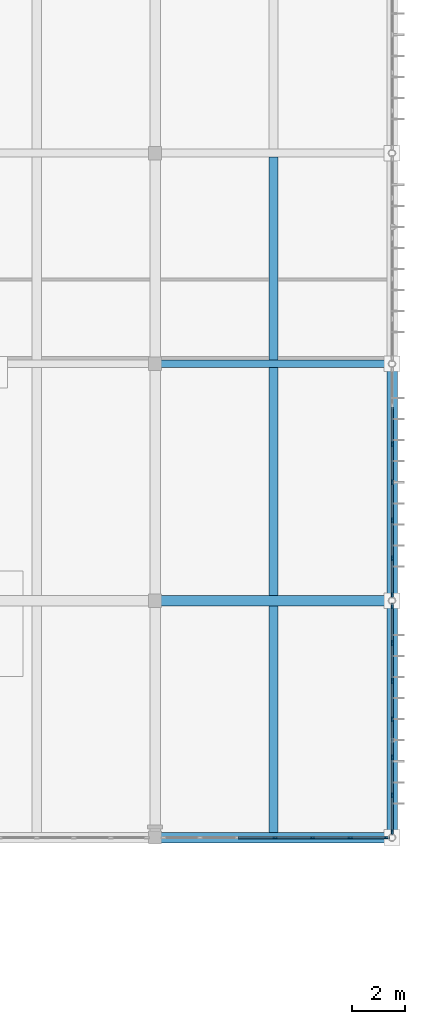
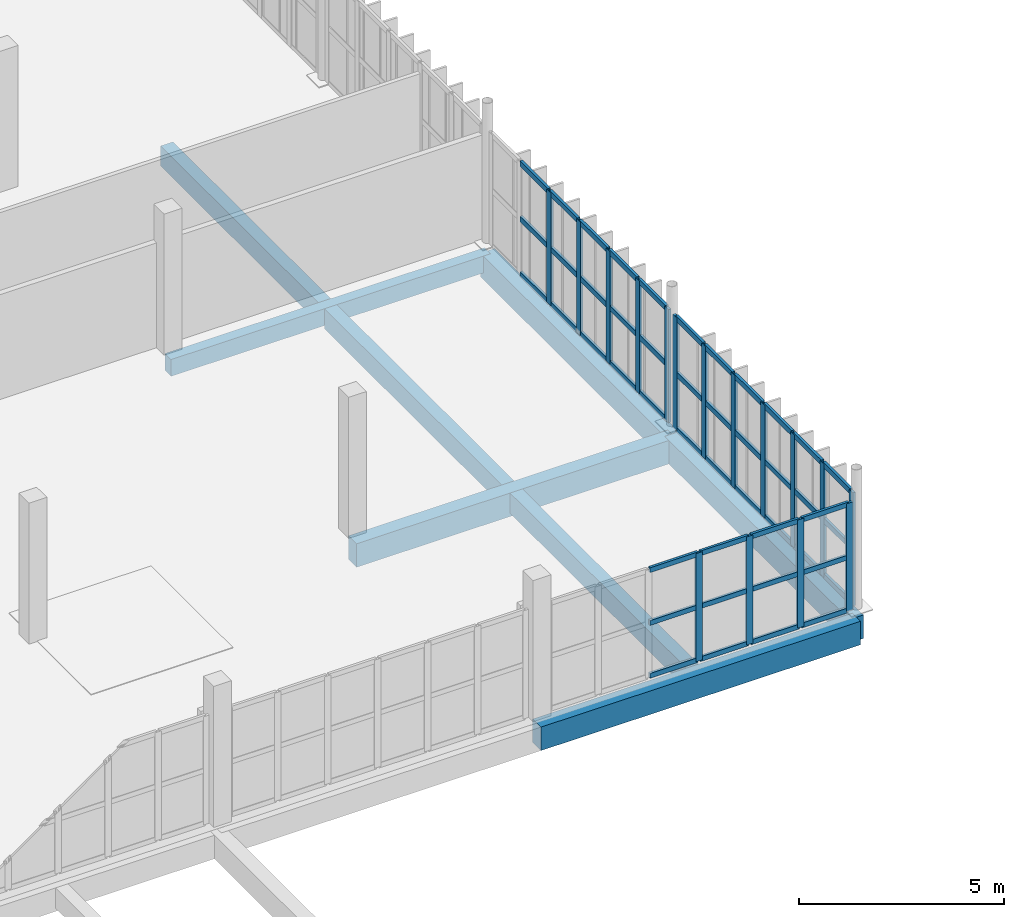
# One storey, part 24 of 61: 61 members, 8 beams, 3 elements without a shape of their own.
"""IFC4 building model written with IfcOpenShell, lengths in metres."""

from ifc_helpers import new_model, si_unit, direction, frame, origin, origin_2d, place, context, subcontext, project, spatial, rectangle, extrude, material, material_profile, profile_set, type_object, element, aggregate, save


model = new_model("IFC4")

# Units and contexts
model_context = context("Model", 3, precision=1e-05, world=origin(), true_north=direction((0.0, 1.0)))
body_context = subcontext(model_context, "Body", "Model", "MODEL_VIEW")
ifc_project = project(units=[si_unit("LENGTHUNIT", "METRE"), si_unit("AREAUNIT", "SQUARE_METRE"), si_unit("VOLUMEUNIT", "CUBIC_METRE"), si_unit("PLANEANGLEUNIT", "RADIAN"), si_unit("MASSUNIT", "GRAM", prefix="KILO")], contexts=[model_context])

# Site, building, storey
site_placement = place(None, origin())
site = spatial("IfcSite", under=ifc_project, at=site_placement, CompositionType="ELEMENT")
building_placement = place(site_placement, origin())
building = spatial("IfcBuilding", under=site, at=building_placement, Name="Vourika Railside Aquatics Centre", CompositionType="ELEMENT")
storey_placement = place(building_placement, frame((0.0, 0.0, 9.300048828125)))
storey = spatial("IfcBuildingStorey", under=building, at=storey_placement, Name="L02", CompositionType="ELEMENT", Elevation=9.300048828125)

# Beams
ifc_material_1 = material(Name="Concrete C35/45", Category="concrete")
ifc_material_profile_1 = material_profile(ifc_material_1, rectangle(XDim=0.39990234375, YDim=0.699951171875, at=origin_2d()), Name="RC 400x700")
ifc_profile_set_1 = profile_set([ifc_material_profile_1], Name="Concrete C35/45")
beam_type_1 = type_object("IfcBeamType", Name="BM-GIRD-400x700", PredefinedType="BEAM", material=ifc_profile_set_1)
for number, where, z_axis, x_axis, name in (
    (1, (159.0, 40.0, -0.630126953125), (1.0, 0.0, 0.0), (0.0, 1.0, 0.0), "Floor Beam GX-L02-040"),
    (2, (159.0, 49.0, -0.630126953125), (1.0, 0.0, 0.0), (0.0, 1.0, 0.0), "Floor Beam GX-L02-047"),
    (3, (168.0, 40.0, -0.630126953125), (0.0, 1.0, 0.0), (-1.0, 0.0, 0.0), "Floor Girder GY-L02-281"),
    (4, (168.0, 49.0, -0.630126953125), (0.0, 1.0, 0.0), (-1.0, 0.0, 0.0), "Floor Girder GY-L02-282"),
):
    element("IfcBeam", number, at=place(storey_placement, frame(where, z_axis=z_axis, x_axis=x_axis)), inside=storey, type_object=beam_type_1, Name=name, PredefinedType="BEAM", context=body_context, shape_type="SweptSolid", body=[
        extrude(rectangle(XDim=0.39990234375, YDim=0.699951171875, at=origin_2d()), origin(), (0.0, 0.0, 1.0), 9.0),
    ])
ifc_material_profile_2 = material_profile(ifc_material_1, rectangle(XDim=0.35009765625, YDim=0.60009765625, at=origin_2d()), Name="RC 350x600")
ifc_profile_set_2 = profile_set([ifc_material_profile_2], Name="Concrete C35/45")
beam_type_2 = type_object("IfcBeamType", Name="BM-SEC-350x600", PredefinedType="JOIST", material=ifc_profile_set_2)
beam_1_placement = place(storey_placement, frame((163.5, 40.199951171875, -0.580078125), z_axis=(0.0, 1.0, 0.0), x_axis=(-1.0, 0.0, 0.0)))
element("IfcBeam", 5, at=beam_1_placement, inside=storey, type_object=beam_type_2, Name="Secondary Joist JY-L02-308", PredefinedType="JOIST", context=body_context, shape_type="SweptSolid", body=[
    extrude(rectangle(XDim=0.35009765625, YDim=0.60009765625, at=origin_2d()), origin(), (0.0, 0.0, 1.0), 8.60009765625),
])
beam_2_placement = place(storey_placement, frame((163.5, 49.199951171875, -0.580078125), z_axis=(0.0, 1.0, 0.0), x_axis=(-1.0, 0.0, 0.0)))
element("IfcBeam", 6, at=beam_2_placement, inside=storey, type_object=beam_type_2, Name="Secondary Joist JY-L02-314", PredefinedType="JOIST", context=body_context, shape_type="SweptSolid", body=[
    extrude(rectangle(XDim=0.35009765625, YDim=0.60009765625, at=origin_2d()), origin(), (0.0, 0.0, 1.0), 8.650146484375),
])
beam_3_placement = place(storey_placement, frame((163.5, 58.14990234375, -0.580078125), z_axis=(0.0, 1.0, 0.0), x_axis=(-1.0, 0.0, 0.0)))
element("IfcBeam", 7, at=beam_3_placement, inside=storey, type_object=beam_type_2, Name="Secondary Joist JY-L02-319", PredefinedType="JOIST", context=body_context, shape_type="SweptSolid", body=[
    extrude(rectangle(XDim=0.35009765625, YDim=0.60009765625, at=origin_2d()), origin(), (0.0, 0.0, 1.0), 7.7001953125),
])
ifc_material_profile_3 = material_profile(ifc_material_1, rectangle(XDim=0.300048828125, YDim=0.5, at=origin_2d()), Name="RC 300x500")
ifc_profile_set_3 = profile_set([ifc_material_profile_3], Name="Concrete C35/45")
beam_type_3 = type_object("IfcBeamType", Name="BM-SPAN-300x500", PredefinedType="SPANDREL", material=ifc_profile_set_3)
beam_4_placement = place(storey_placement, frame((159.0, 58.0, -0.530029296875), z_axis=(1.0, 0.0, 0.0), x_axis=(0.0, 1.0, 0.0)))
element("IfcBeam", 8, at=beam_4_placement, inside=storey, type_object=beam_type_3, Name="Floor Beam GX-L02-068", PredefinedType="SPANDREL", context=body_context, shape_type="SweptSolid", body=[
    extrude(rectangle(XDim=0.300048828125, YDim=0.5, at=origin_2d()), origin(), (0.0, 0.0, 1.0), 9.0),
])

# Curtain wall, members
ifc_material_2 = material(Name="Anodized thermally broken aluminium", Category="aluminium")
curtain_wall_type_1 = type_object("IfcCurtainWallType", Name="CW-FOYE", PredefinedType="NOTDEFINED", material=ifc_material_2)
curtain_wall_1_placement = place(storey_placement, origin())
curtain_wall_1 = element("IfcCurtainWall", 9, at=curtain_wall_1_placement, inside=storey, type_object=curtain_wall_type_1, Name="East Arrival Facade Curtain Wall L02-1", PredefinedType="NOTDEFINED")
ifc_material_3 = material(Name="Anodized aluminium mullion", Category="aluminium")
ifc_material_profile_4 = material_profile(ifc_material_3, rectangle(XDim=0.074951171875, YDim=0.199951171875, at=origin_2d()), Name="ALU-M 75x200")
ifc_profile_set_4 = profile_set([ifc_material_profile_4], Name="Anodized aluminium mullion")
member_type_1 = type_object("IfcMemberType", Name="CWM-FOYE", PredefinedType="MULLION", material=ifc_profile_set_4)
member_1_placement = place(storey_placement, frame((168.0, 40.2041015625, 0.0), z_axis=(0.0, 0.0, 1.0), x_axis=(-1.0, 0.0, 0.0)))
member_1 = element("IfcMember", 10, at=member_1_placement, type_object=member_type_1, Name="CW10 mullion 1", PredefinedType="MULLION", context=body_context, shape_type="SweptSolid", body=[
    extrude(rectangle(XDim=0.074951171875, YDim=0.199951171875, at=origin_2d()), origin(), (0.0, 0.0, 1.0), 3.369873046875),
])
member_2_placement = place(storey_placement, frame((168.0, 41.611083984375, 0.0), z_axis=(0.0, 0.0, 1.0), x_axis=(-1.0, 0.0, 0.0)))
member_2 = element("IfcMember", 11, at=member_2_placement, type_object=member_type_1, Name="CW10 mullion 2", PredefinedType="MULLION", context=body_context, shape_type="SweptSolid", body=[
    extrude(rectangle(XDim=0.074951171875, YDim=0.199951171875, at=origin_2d()), origin(), (0.0, 0.0, 1.0), 3.369873046875),
])
member_3_placement = place(storey_placement, frame((168.0, 43.055419921875, 0.0), z_axis=(0.0, 0.0, 1.0), x_axis=(-1.0, 0.0, 0.0)))
member_3 = element("IfcMember", 12, at=member_3_placement, type_object=member_type_1, Name="CW10 mullion 3", PredefinedType="MULLION", context=body_context, shape_type="SweptSolid", body=[
    extrude(rectangle(XDim=0.074951171875, YDim=0.199951171875, at=origin_2d()), origin(), (0.0, 0.0, 1.0), 3.369873046875),
])
member_4_placement = place(storey_placement, frame((168.0, 44.5, 0.0), z_axis=(0.0, 0.0, 1.0), x_axis=(-1.0, 0.0, 0.0)))
member_4 = element("IfcMember", 13, at=member_4_placement, type_object=member_type_1, Name="CW10 mullion 4", PredefinedType="MULLION", context=body_context, shape_type="SweptSolid", body=[
    extrude(rectangle(XDim=0.074951171875, YDim=0.199951171875, at=origin_2d()), origin(), (0.0, 0.0, 1.0), 3.369873046875),
])
member_5_placement = place(storey_placement, frame((168.0, 45.944580078125, 0.0), z_axis=(0.0, 0.0, 1.0), x_axis=(-1.0, 0.0, 0.0)))
member_5 = element("IfcMember", 14, at=member_5_placement, type_object=member_type_1, Name="CW10 mullion 5", PredefinedType="MULLION", context=body_context, shape_type="SweptSolid", body=[
    extrude(rectangle(XDim=0.074951171875, YDim=0.199951171875, at=origin_2d()), origin(), (0.0, 0.0, 1.0), 3.369873046875),
])
member_6_placement = place(storey_placement, frame((168.0, 47.388916015625, 0.0), z_axis=(0.0, 0.0, 1.0), x_axis=(-1.0, 0.0, 0.0)))
member_6 = element("IfcMember", 15, at=member_6_placement, type_object=member_type_1, Name="CW10 mullion 6", PredefinedType="MULLION", context=body_context, shape_type="SweptSolid", body=[
    extrude(rectangle(XDim=0.074951171875, YDim=0.199951171875, at=origin_2d()), origin(), (0.0, 0.0, 1.0), 3.369873046875),
])
member_7_placement = place(storey_placement, frame((168.0, 48.7958984375, 0.0), z_axis=(0.0, 0.0, 1.0), x_axis=(-1.0, 0.0, 0.0)))
member_7 = element("IfcMember", 16, at=member_7_placement, type_object=member_type_1, Name="CW10 mullion 7", PredefinedType="MULLION", context=body_context, shape_type="SweptSolid", body=[
    extrude(rectangle(XDim=0.074951171875, YDim=0.199951171875, at=origin_2d()), origin(), (0.0, 0.0, 1.0), 3.369873046875),
])

curtain_wall_2_placement = place(storey_placement, origin())
curtain_wall_2 = element("IfcCurtainWall", 17, at=curtain_wall_2_placement, inside=storey, type_object=curtain_wall_type_1, Name="East Arrival Facade Curtain Wall L02-2", PredefinedType="NOTDEFINED")
member_8_placement = place(storey_placement, frame((168.0, 49.2041015625, 0.0), z_axis=(0.0, 0.0, 1.0), x_axis=(-1.0, 0.0, 0.0)))
member_8 = element("IfcMember", 18, at=member_8_placement, type_object=member_type_1, Name="CW10 mullion 1", PredefinedType="MULLION", context=body_context, shape_type="SweptSolid", body=[
    extrude(rectangle(XDim=0.074951171875, YDim=0.199951171875, at=origin_2d()), origin(), (0.0, 0.0, 1.0), 3.369873046875),
])
member_9_placement = place(storey_placement, frame((168.0, 50.611083984375, 0.0), z_axis=(0.0, 0.0, 1.0), x_axis=(-1.0, 0.0, 0.0)))
member_9 = element("IfcMember", 19, at=member_9_placement, type_object=member_type_1, Name="CW10 mullion 2", PredefinedType="MULLION", context=body_context, shape_type="SweptSolid", body=[
    extrude(rectangle(XDim=0.074951171875, YDim=0.199951171875, at=origin_2d()), origin(), (0.0, 0.0, 1.0), 3.369873046875),
])
member_10_placement = place(storey_placement, frame((168.0, 52.055419921875, 0.0), z_axis=(0.0, 0.0, 1.0), x_axis=(-1.0, 0.0, 0.0)))
member_10 = element("IfcMember", 20, at=member_10_placement, type_object=member_type_1, Name="CW10 mullion 3", PredefinedType="MULLION", context=body_context, shape_type="SweptSolid", body=[
    extrude(rectangle(XDim=0.074951171875, YDim=0.199951171875, at=origin_2d()), origin(), (0.0, 0.0, 1.0), 3.369873046875),
])
member_11_placement = place(storey_placement, frame((168.0, 53.5, 0.0), z_axis=(0.0, 0.0, 1.0), x_axis=(-1.0, 0.0, 0.0)))
member_11 = element("IfcMember", 21, at=member_11_placement, type_object=member_type_1, Name="CW10 mullion 4", PredefinedType="MULLION", context=body_context, shape_type="SweptSolid", body=[
    extrude(rectangle(XDim=0.074951171875, YDim=0.199951171875, at=origin_2d()), origin(), (0.0, 0.0, 1.0), 3.369873046875),
])
member_12_placement = place(storey_placement, frame((168.0, 54.944580078125, 0.0), z_axis=(0.0, 0.0, 1.0), x_axis=(-1.0, 0.0, 0.0)))
member_12 = element("IfcMember", 22, at=member_12_placement, type_object=member_type_1, Name="CW10 mullion 5", PredefinedType="MULLION", context=body_context, shape_type="SweptSolid", body=[
    extrude(rectangle(XDim=0.074951171875, YDim=0.199951171875, at=origin_2d()), origin(), (0.0, 0.0, 1.0), 3.369873046875),
])

curtain_wall_type_2 = type_object("IfcCurtainWallType", Name="CW-FOYS", PredefinedType="NOTDEFINED", material=ifc_material_2)
curtain_wall_3_placement = place(storey_placement, origin())
curtain_wall_3 = element("IfcCurtainWall", 23, at=curtain_wall_3_placement, inside=storey, type_object=curtain_wall_type_2, Name="Foyer South Glazed Facade L02-3", PredefinedType="NOTDEFINED")
ifc_material_profile_5 = material_profile(ifc_material_3, rectangle(XDim=0.072021484375, YDim=0.181884765625, at=origin_2d()), Name="ALU-M 72x182")
ifc_profile_set_5 = profile_set([ifc_material_profile_5], Name="Anodized aluminium mullion")
member_type_2 = type_object("IfcMemberType", Name="CWM-FOYS", PredefinedType="MULLION", material=ifc_profile_set_5)
member_13_placement = place(storey_placement, frame((163.556640625, 40.0, 0.0), z_axis=(0.0, 0.0, 1.0), x_axis=(0.0, 1.0, 0.0)))
member_13 = element("IfcMember", 24, at=member_13_placement, type_object=member_type_2, Name="CW11 mullion 4", PredefinedType="MULLION", context=body_context, shape_type="SweptSolid", body=[
    extrude(rectangle(XDim=0.072021484375, YDim=0.181884765625, at=origin_2d()), origin(), (0.0, 0.0, 1.0), 3.219970703125),
])
member_14_placement = place(storey_placement, frame((164.982421875, 40.0, 0.0), z_axis=(0.0, 0.0, 1.0), x_axis=(0.0, 1.0, 0.0)))
member_14 = element("IfcMember", 25, at=member_14_placement, type_object=member_type_2, Name="CW11 mullion 5", PredefinedType="MULLION", context=body_context, shape_type="SweptSolid", body=[
    extrude(rectangle(XDim=0.072021484375, YDim=0.181884765625, at=origin_2d()), origin(), (0.0, 0.0, 1.0), 3.219970703125),
])
member_15_placement = place(storey_placement, frame((166.407958984375, 40.0, 0.0), z_axis=(0.0, 0.0, 1.0), x_axis=(0.0, 1.0, 0.0)))
member_15 = element("IfcMember", 26, at=member_15_placement, type_object=member_type_2, Name="CW11 mullion 6", PredefinedType="MULLION", context=body_context, shape_type="SweptSolid", body=[
    extrude(rectangle(XDim=0.072021484375, YDim=0.181884765625, at=origin_2d()), origin(), (0.0, 0.0, 1.0), 3.219970703125),
])
member_16_placement = place(storey_placement, frame((167.797607421875, 40.0, 0.0), z_axis=(0.0, 0.0, 1.0), x_axis=(0.0, 1.0, 0.0)))
member_16 = element("IfcMember", 27, at=member_16_placement, type_object=member_type_2, Name="CW11 mullion 7", PredefinedType="MULLION", context=body_context, shape_type="SweptSolid", body=[
    extrude(rectangle(XDim=0.072021484375, YDim=0.181884765625, at=origin_2d()), origin(), (0.0, 0.0, 1.0), 3.219970703125),
])

# Member
ifc_material_4 = material(Name="Anodized aluminium transom", Category="aluminium")
ifc_material_profile_6 = material_profile(ifc_material_4, rectangle(XDim=0.074951171875, YDim=0.157958984375, at=origin_2d()), Name="ALU-T 75x158")
ifc_profile_set_6 = profile_set([ifc_material_profile_6], Name="Anodized aluminium transom")
member_type_3 = type_object("IfcMemberType", Name="CWT-FOYE", PredefinedType="USERDEFINED", material=ifc_profile_set_6)
member_17_placement = place(storey_placement, frame((168.0, 40.241455078125, 0.037353515625), z_axis=(0.0, 1.0, 0.0), x_axis=(-1.0, 0.0, 0.0)))
member_17 = element("IfcMember", 28, at=member_17_placement, type_object=member_type_3, Name="CW10 transom 1.1", ObjectType="TRANSOM", PredefinedType="USERDEFINED", context=body_context, shape_type="SweptSolid", body=[
    extrude(rectangle(XDim=0.074951171875, YDim=0.157958984375, at=origin_2d()), origin(), (0.0, 0.0, 1.0), 1.33203125),
])

member_18_placement = place(storey_placement, frame((168.0, 40.241455078125, 1.68505859375), z_axis=(0.0, 1.0, 0.0), x_axis=(-1.0, 0.0, 0.0)))
member_18 = element("IfcMember", 29, at=member_18_placement, type_object=member_type_3, Name="CW10 transom 1.2", ObjectType="TRANSOM", PredefinedType="USERDEFINED", context=body_context, shape_type="SweptSolid", body=[
    extrude(rectangle(XDim=0.074951171875, YDim=0.157958984375, at=origin_2d()), origin(), (0.0, 0.0, 1.0), 1.33203125),
])

member_19_placement = place(storey_placement, frame((168.0, 40.241455078125, 3.33251953125), z_axis=(0.0, 1.0, 0.0), x_axis=(-1.0, 0.0, 0.0)))
member_19 = element("IfcMember", 30, at=member_19_placement, type_object=member_type_3, Name="CW10 transom 1.3", ObjectType="TRANSOM", PredefinedType="USERDEFINED", context=body_context, shape_type="SweptSolid", body=[
    extrude(rectangle(XDim=0.074951171875, YDim=0.157958984375, at=origin_2d()), origin(), (0.0, 0.0, 1.0), 1.33203125),
])

member_20_placement = place(storey_placement, frame((168.0, 41.6484375, 0.037353515625), z_axis=(0.0, 1.0, 0.0), x_axis=(-1.0, 0.0, 0.0)))
member_20 = element("IfcMember", 31, at=member_20_placement, type_object=member_type_3, Name="CW10 transom 2.1", ObjectType="TRANSOM", PredefinedType="USERDEFINED", context=body_context, shape_type="SweptSolid", body=[
    extrude(rectangle(XDim=0.074951171875, YDim=0.157958984375, at=origin_2d()), origin(), (0.0, 0.0, 1.0), 1.36962890625),
])

member_21_placement = place(storey_placement, frame((168.0, 41.6484375, 1.68505859375), z_axis=(0.0, 1.0, 0.0), x_axis=(-1.0, 0.0, 0.0)))
member_21 = element("IfcMember", 32, at=member_21_placement, type_object=member_type_3, Name="CW10 transom 2.2", ObjectType="TRANSOM", PredefinedType="USERDEFINED", context=body_context, shape_type="SweptSolid", body=[
    extrude(rectangle(XDim=0.074951171875, YDim=0.157958984375, at=origin_2d()), origin(), (0.0, 0.0, 1.0), 1.36962890625),
])

member_22_placement = place(storey_placement, frame((168.0, 41.6484375, 3.33251953125), z_axis=(0.0, 1.0, 0.0), x_axis=(-1.0, 0.0, 0.0)))
member_22 = element("IfcMember", 33, at=member_22_placement, type_object=member_type_3, Name="CW10 transom 2.3", ObjectType="TRANSOM", PredefinedType="USERDEFINED", context=body_context, shape_type="SweptSolid", body=[
    extrude(rectangle(XDim=0.074951171875, YDim=0.157958984375, at=origin_2d()), origin(), (0.0, 0.0, 1.0), 1.36962890625),
])

member_23_placement = place(storey_placement, frame((168.0, 43.093017578125, 0.037353515625), z_axis=(0.0, 1.0, 0.0), x_axis=(-1.0, 0.0, 0.0)))
member_23 = element("IfcMember", 34, at=member_23_placement, type_object=member_type_3, Name="CW10 transom 3.1", ObjectType="TRANSOM", PredefinedType="USERDEFINED", context=body_context, shape_type="SweptSolid", body=[
    extrude(rectangle(XDim=0.074951171875, YDim=0.157958984375, at=origin_2d()), origin(), (0.0, 0.0, 1.0), 1.369384765625),
])

member_24_placement = place(storey_placement, frame((168.0, 43.093017578125, 1.68505859375), z_axis=(0.0, 1.0, 0.0), x_axis=(-1.0, 0.0, 0.0)))
member_24 = element("IfcMember", 35, at=member_24_placement, type_object=member_type_3, Name="CW10 transom 3.2", ObjectType="TRANSOM", PredefinedType="USERDEFINED", context=body_context, shape_type="SweptSolid", body=[
    extrude(rectangle(XDim=0.074951171875, YDim=0.157958984375, at=origin_2d()), origin(), (0.0, 0.0, 1.0), 1.369384765625),
])

member_25_placement = place(storey_placement, frame((168.0, 43.093017578125, 3.33251953125), z_axis=(0.0, 1.0, 0.0), x_axis=(-1.0, 0.0, 0.0)))
member_25 = element("IfcMember", 36, at=member_25_placement, type_object=member_type_3, Name="CW10 transom 3.3", ObjectType="TRANSOM", PredefinedType="USERDEFINED", context=body_context, shape_type="SweptSolid", body=[
    extrude(rectangle(XDim=0.074951171875, YDim=0.157958984375, at=origin_2d()), origin(), (0.0, 0.0, 1.0), 1.369384765625),
])

member_26_placement = place(storey_placement, frame((168.0, 44.53759765625, 0.037353515625), z_axis=(0.0, 1.0, 0.0), x_axis=(-1.0, 0.0, 0.0)))
member_26 = element("IfcMember", 37, at=member_26_placement, type_object=member_type_3, Name="CW10 transom 4.1", ObjectType="TRANSOM", PredefinedType="USERDEFINED", context=body_context, shape_type="SweptSolid", body=[
    extrude(rectangle(XDim=0.074951171875, YDim=0.157958984375, at=origin_2d()), origin(), (0.0, 0.0, 1.0), 1.369384765625),
])

member_27_placement = place(storey_placement, frame((168.0, 44.53759765625, 1.68505859375), z_axis=(0.0, 1.0, 0.0), x_axis=(-1.0, 0.0, 0.0)))
member_27 = element("IfcMember", 38, at=member_27_placement, type_object=member_type_3, Name="CW10 transom 4.2", ObjectType="TRANSOM", PredefinedType="USERDEFINED", context=body_context, shape_type="SweptSolid", body=[
    extrude(rectangle(XDim=0.074951171875, YDim=0.157958984375, at=origin_2d()), origin(), (0.0, 0.0, 1.0), 1.369384765625),
])

member_28_placement = place(storey_placement, frame((168.0, 44.53759765625, 3.33251953125), z_axis=(0.0, 1.0, 0.0), x_axis=(-1.0, 0.0, 0.0)))
member_28 = element("IfcMember", 39, at=member_28_placement, type_object=member_type_3, Name="CW10 transom 4.3", ObjectType="TRANSOM", PredefinedType="USERDEFINED", context=body_context, shape_type="SweptSolid", body=[
    extrude(rectangle(XDim=0.074951171875, YDim=0.157958984375, at=origin_2d()), origin(), (0.0, 0.0, 1.0), 1.369384765625),
])

member_29_placement = place(storey_placement, frame((168.0, 45.98193359375, 0.037353515625), z_axis=(0.0, 1.0, 0.0), x_axis=(-1.0, 0.0, 0.0)))
member_29 = element("IfcMember", 40, at=member_29_placement, type_object=member_type_3, Name="CW10 transom 5.1", ObjectType="TRANSOM", PredefinedType="USERDEFINED", context=body_context, shape_type="SweptSolid", body=[
    extrude(rectangle(XDim=0.074951171875, YDim=0.157958984375, at=origin_2d()), origin(), (0.0, 0.0, 1.0), 1.36962890625),
])

member_30_placement = place(storey_placement, frame((168.0, 45.98193359375, 1.68505859375), z_axis=(0.0, 1.0, 0.0), x_axis=(-1.0, 0.0, 0.0)))
member_30 = element("IfcMember", 41, at=member_30_placement, type_object=member_type_3, Name="CW10 transom 5.2", ObjectType="TRANSOM", PredefinedType="USERDEFINED", context=body_context, shape_type="SweptSolid", body=[
    extrude(rectangle(XDim=0.074951171875, YDim=0.157958984375, at=origin_2d()), origin(), (0.0, 0.0, 1.0), 1.36962890625),
])

member_31_placement = place(storey_placement, frame((168.0, 45.98193359375, 3.33251953125), z_axis=(0.0, 1.0, 0.0), x_axis=(-1.0, 0.0, 0.0)))
member_31 = element("IfcMember", 42, at=member_31_placement, type_object=member_type_3, Name="CW10 transom 5.3", ObjectType="TRANSOM", PredefinedType="USERDEFINED", context=body_context, shape_type="SweptSolid", body=[
    extrude(rectangle(XDim=0.074951171875, YDim=0.157958984375, at=origin_2d()), origin(), (0.0, 0.0, 1.0), 1.36962890625),
])

member_32_placement = place(storey_placement, frame((168.0, 47.426513671875, 0.037353515625), z_axis=(0.0, 1.0, 0.0), x_axis=(-1.0, 0.0, 0.0)))
member_32 = element("IfcMember", 43, at=member_32_placement, type_object=member_type_3, Name="CW10 transom 6.1", ObjectType="TRANSOM", PredefinedType="USERDEFINED", context=body_context, shape_type="SweptSolid", body=[
    extrude(rectangle(XDim=0.074951171875, YDim=0.157958984375, at=origin_2d()), origin(), (0.0, 0.0, 1.0), 1.33203125),
])

member_33_placement = place(storey_placement, frame((168.0, 47.426513671875, 1.68505859375), z_axis=(0.0, 1.0, 0.0), x_axis=(-1.0, 0.0, 0.0)))
member_33 = element("IfcMember", 44, at=member_33_placement, type_object=member_type_3, Name="CW10 transom 6.2", ObjectType="TRANSOM", PredefinedType="USERDEFINED", context=body_context, shape_type="SweptSolid", body=[
    extrude(rectangle(XDim=0.074951171875, YDim=0.157958984375, at=origin_2d()), origin(), (0.0, 0.0, 1.0), 1.33203125),
])

member_34_placement = place(storey_placement, frame((168.0, 47.426513671875, 3.33251953125), z_axis=(0.0, 1.0, 0.0), x_axis=(-1.0, 0.0, 0.0)))
member_34 = element("IfcMember", 45, at=member_34_placement, type_object=member_type_3, Name="CW10 transom 6.3", ObjectType="TRANSOM", PredefinedType="USERDEFINED", context=body_context, shape_type="SweptSolid", body=[
    extrude(rectangle(XDim=0.074951171875, YDim=0.157958984375, at=origin_2d()), origin(), (0.0, 0.0, 1.0), 1.33203125),
])

aggregate(curtain_wall_1, [member_1, member_2, member_3, member_4, member_5, member_6, member_7, member_17, member_18, member_19, member_20, member_21, member_22, member_23, member_24, member_25, member_26, member_27, member_28, member_29, member_30, member_31, member_32, member_33, member_34])

member_35_placement = place(storey_placement, frame((168.0, 49.241455078125, 0.037353515625), z_axis=(0.0, 1.0, 0.0), x_axis=(-1.0, 0.0, 0.0)))
member_35 = element("IfcMember", 46, at=member_35_placement, type_object=member_type_3, Name="CW10 transom 1.1", ObjectType="TRANSOM", PredefinedType="USERDEFINED", context=body_context, shape_type="SweptSolid", body=[
    extrude(rectangle(XDim=0.074951171875, YDim=0.157958984375, at=origin_2d()), origin(), (0.0, 0.0, 1.0), 1.33203125),
])

member_36_placement = place(storey_placement, frame((168.0, 49.241455078125, 1.68505859375), z_axis=(0.0, 1.0, 0.0), x_axis=(-1.0, 0.0, 0.0)))
member_36 = element("IfcMember", 47, at=member_36_placement, type_object=member_type_3, Name="CW10 transom 1.2", ObjectType="TRANSOM", PredefinedType="USERDEFINED", context=body_context, shape_type="SweptSolid", body=[
    extrude(rectangle(XDim=0.074951171875, YDim=0.157958984375, at=origin_2d()), origin(), (0.0, 0.0, 1.0), 1.33203125),
])

member_37_placement = place(storey_placement, frame((168.0, 49.241455078125, 3.33251953125), z_axis=(0.0, 1.0, 0.0), x_axis=(-1.0, 0.0, 0.0)))
member_37 = element("IfcMember", 48, at=member_37_placement, type_object=member_type_3, Name="CW10 transom 1.3", ObjectType="TRANSOM", PredefinedType="USERDEFINED", context=body_context, shape_type="SweptSolid", body=[
    extrude(rectangle(XDim=0.074951171875, YDim=0.157958984375, at=origin_2d()), origin(), (0.0, 0.0, 1.0), 1.33203125),
])

member_38_placement = place(storey_placement, frame((168.0, 50.6484375, 0.037353515625), z_axis=(0.0, 1.0, 0.0), x_axis=(-1.0, 0.0, 0.0)))
member_38 = element("IfcMember", 49, at=member_38_placement, type_object=member_type_3, Name="CW10 transom 2.1", ObjectType="TRANSOM", PredefinedType="USERDEFINED", context=body_context, shape_type="SweptSolid", body=[
    extrude(rectangle(XDim=0.074951171875, YDim=0.157958984375, at=origin_2d()), origin(), (0.0, 0.0, 1.0), 1.36962890625),
])

member_39_placement = place(storey_placement, frame((168.0, 50.6484375, 1.68505859375), z_axis=(0.0, 1.0, 0.0), x_axis=(-1.0, 0.0, 0.0)))
member_39 = element("IfcMember", 50, at=member_39_placement, type_object=member_type_3, Name="CW10 transom 2.2", ObjectType="TRANSOM", PredefinedType="USERDEFINED", context=body_context, shape_type="SweptSolid", body=[
    extrude(rectangle(XDim=0.074951171875, YDim=0.157958984375, at=origin_2d()), origin(), (0.0, 0.0, 1.0), 1.36962890625),
])

member_40_placement = place(storey_placement, frame((168.0, 50.6484375, 3.33251953125), z_axis=(0.0, 1.0, 0.0), x_axis=(-1.0, 0.0, 0.0)))
member_40 = element("IfcMember", 51, at=member_40_placement, type_object=member_type_3, Name="CW10 transom 2.3", ObjectType="TRANSOM", PredefinedType="USERDEFINED", context=body_context, shape_type="SweptSolid", body=[
    extrude(rectangle(XDim=0.074951171875, YDim=0.157958984375, at=origin_2d()), origin(), (0.0, 0.0, 1.0), 1.36962890625),
])

member_41_placement = place(storey_placement, frame((168.0, 52.093017578125, 0.037353515625), z_axis=(0.0, 1.0, 0.0), x_axis=(-1.0, 0.0, 0.0)))
member_41 = element("IfcMember", 52, at=member_41_placement, type_object=member_type_3, Name="CW10 transom 3.1", ObjectType="TRANSOM", PredefinedType="USERDEFINED", context=body_context, shape_type="SweptSolid", body=[
    extrude(rectangle(XDim=0.074951171875, YDim=0.157958984375, at=origin_2d()), origin(), (0.0, 0.0, 1.0), 1.369384765625),
])

member_42_placement = place(storey_placement, frame((168.0, 52.093017578125, 1.68505859375), z_axis=(0.0, 1.0, 0.0), x_axis=(-1.0, 0.0, 0.0)))
member_42 = element("IfcMember", 53, at=member_42_placement, type_object=member_type_3, Name="CW10 transom 3.2", ObjectType="TRANSOM", PredefinedType="USERDEFINED", context=body_context, shape_type="SweptSolid", body=[
    extrude(rectangle(XDim=0.074951171875, YDim=0.157958984375, at=origin_2d()), origin(), (0.0, 0.0, 1.0), 1.369384765625),
])

member_43_placement = place(storey_placement, frame((168.0, 52.093017578125, 3.33251953125), z_axis=(0.0, 1.0, 0.0), x_axis=(-1.0, 0.0, 0.0)))
member_43 = element("IfcMember", 54, at=member_43_placement, type_object=member_type_3, Name="CW10 transom 3.3", ObjectType="TRANSOM", PredefinedType="USERDEFINED", context=body_context, shape_type="SweptSolid", body=[
    extrude(rectangle(XDim=0.074951171875, YDim=0.157958984375, at=origin_2d()), origin(), (0.0, 0.0, 1.0), 1.369384765625),
])

member_44_placement = place(storey_placement, frame((168.0, 53.53759765625, 0.037353515625), z_axis=(0.0, 1.0, 0.0), x_axis=(-1.0, 0.0, 0.0)))
member_44 = element("IfcMember", 55, at=member_44_placement, type_object=member_type_3, Name="CW10 transom 4.1", ObjectType="TRANSOM", PredefinedType="USERDEFINED", context=body_context, shape_type="SweptSolid", body=[
    extrude(rectangle(XDim=0.074951171875, YDim=0.157958984375, at=origin_2d()), origin(), (0.0, 0.0, 1.0), 1.369384765625),
])

member_45_placement = place(storey_placement, frame((168.0, 53.53759765625, 1.68505859375), z_axis=(0.0, 1.0, 0.0), x_axis=(-1.0, 0.0, 0.0)))
member_45 = element("IfcMember", 56, at=member_45_placement, type_object=member_type_3, Name="CW10 transom 4.2", ObjectType="TRANSOM", PredefinedType="USERDEFINED", context=body_context, shape_type="SweptSolid", body=[
    extrude(rectangle(XDim=0.074951171875, YDim=0.157958984375, at=origin_2d()), origin(), (0.0, 0.0, 1.0), 1.369384765625),
])

member_46_placement = place(storey_placement, frame((168.0, 53.53759765625, 3.33251953125), z_axis=(0.0, 1.0, 0.0), x_axis=(-1.0, 0.0, 0.0)))
member_46 = element("IfcMember", 57, at=member_46_placement, type_object=member_type_3, Name="CW10 transom 4.3", ObjectType="TRANSOM", PredefinedType="USERDEFINED", context=body_context, shape_type="SweptSolid", body=[
    extrude(rectangle(XDim=0.074951171875, YDim=0.157958984375, at=origin_2d()), origin(), (0.0, 0.0, 1.0), 1.369384765625),
])

member_47_placement = place(storey_placement, frame((168.0, 54.98193359375, 0.037353515625), z_axis=(0.0, 1.0, 0.0), x_axis=(-1.0, 0.0, 0.0)))
member_47 = element("IfcMember", 58, at=member_47_placement, type_object=member_type_3, Name="CW10 transom 5.1", ObjectType="TRANSOM", PredefinedType="USERDEFINED", context=body_context, shape_type="SweptSolid", body=[
    extrude(rectangle(XDim=0.074951171875, YDim=0.157958984375, at=origin_2d()), origin(), (0.0, 0.0, 1.0), 1.36962890625),
])

member_48_placement = place(storey_placement, frame((168.0, 54.98193359375, 1.68505859375), z_axis=(0.0, 1.0, 0.0), x_axis=(-1.0, 0.0, 0.0)))
member_48 = element("IfcMember", 59, at=member_48_placement, type_object=member_type_3, Name="CW10 transom 5.2", ObjectType="TRANSOM", PredefinedType="USERDEFINED", context=body_context, shape_type="SweptSolid", body=[
    extrude(rectangle(XDim=0.074951171875, YDim=0.157958984375, at=origin_2d()), origin(), (0.0, 0.0, 1.0), 1.36962890625),
])

member_49_placement = place(storey_placement, frame((168.0, 54.98193359375, 3.33251953125), z_axis=(0.0, 1.0, 0.0), x_axis=(-1.0, 0.0, 0.0)))
member_49 = element("IfcMember", 60, at=member_49_placement, type_object=member_type_3, Name="CW10 transom 5.3", ObjectType="TRANSOM", PredefinedType="USERDEFINED", context=body_context, shape_type="SweptSolid", body=[
    extrude(rectangle(XDim=0.074951171875, YDim=0.157958984375, at=origin_2d()), origin(), (0.0, 0.0, 1.0), 1.36962890625),
])

aggregate(curtain_wall_2, [member_8, member_9, member_10, member_11, member_12, member_35, member_36, member_37, member_38, member_39, member_40, member_41, member_42, member_43, member_44, member_45, member_46, member_47, member_48, member_49])

ifc_material_profile_7 = material_profile(ifc_material_4, rectangle(XDim=0.072021484375, YDim=0.14404296875, at=origin_2d()), Name="ALU-T 72x144")
ifc_profile_set_7 = profile_set([ifc_material_profile_7], Name="Anodized aluminium transom")
member_type_4 = type_object("IfcMemberType", Name="CWT-FOYS", PredefinedType="USERDEFINED", material=ifc_profile_set_7)
member_50_placement = place(storey_placement, frame((162.167236328125, 40.0, 0.035888671875), z_axis=(1.0, 0.0, 0.0), x_axis=(0.0, 1.0, 0.0)))
member_50 = element("IfcMember", 61, at=member_50_placement, type_object=member_type_4, Name="CW11 transom 3.1", ObjectType="TRANSOM", PredefinedType="USERDEFINED", context=body_context, shape_type="SweptSolid", body=[
    extrude(rectangle(XDim=0.072021484375, YDim=0.14404296875, at=origin_2d()), origin(), (0.0, 0.0, 1.0), 1.353515625),
])

member_51_placement = place(storey_placement, frame((162.167236328125, 40.0, 1.60986328125), z_axis=(1.0, 0.0, 0.0), x_axis=(0.0, 1.0, 0.0)))
member_51 = element("IfcMember", 62, at=member_51_placement, type_object=member_type_4, Name="CW11 transom 3.2", ObjectType="TRANSOM", PredefinedType="USERDEFINED", context=body_context, shape_type="SweptSolid", body=[
    extrude(rectangle(XDim=0.072021484375, YDim=0.14404296875, at=origin_2d()), origin(), (0.0, 0.0, 1.0), 1.353515625),
])

member_52_placement = place(storey_placement, frame((162.167236328125, 40.0, 3.183837890625), z_axis=(1.0, 0.0, 0.0), x_axis=(0.0, 1.0, 0.0)))
member_52 = element("IfcMember", 63, at=member_52_placement, type_object=member_type_4, Name="CW11 transom 3.3", ObjectType="TRANSOM", PredefinedType="USERDEFINED", context=body_context, shape_type="SweptSolid", body=[
    extrude(rectangle(XDim=0.072021484375, YDim=0.14404296875, at=origin_2d()), origin(), (0.0, 0.0, 1.0), 1.353515625),
])

member_53_placement = place(storey_placement, frame((163.5927734375, 40.0, 0.035888671875), z_axis=(1.0, 0.0, 0.0), x_axis=(0.0, 1.0, 0.0)))
member_53 = element("IfcMember", 64, at=member_53_placement, type_object=member_type_4, Name="CW11 transom 4.1", ObjectType="TRANSOM", PredefinedType="USERDEFINED", context=body_context, shape_type="SweptSolid", body=[
    extrude(rectangle(XDim=0.072021484375, YDim=0.14404296875, at=origin_2d()), origin(), (0.0, 0.0, 1.0), 1.353515625),
])

member_54_placement = place(storey_placement, frame((163.5927734375, 40.0, 1.60986328125), z_axis=(1.0, 0.0, 0.0), x_axis=(0.0, 1.0, 0.0)))
member_54 = element("IfcMember", 65, at=member_54_placement, type_object=member_type_4, Name="CW11 transom 4.2", ObjectType="TRANSOM", PredefinedType="USERDEFINED", context=body_context, shape_type="SweptSolid", body=[
    extrude(rectangle(XDim=0.072021484375, YDim=0.14404296875, at=origin_2d()), origin(), (0.0, 0.0, 1.0), 1.353515625),
])

member_55_placement = place(storey_placement, frame((163.5927734375, 40.0, 3.183837890625), z_axis=(1.0, 0.0, 0.0), x_axis=(0.0, 1.0, 0.0)))
member_55 = element("IfcMember", 66, at=member_55_placement, type_object=member_type_4, Name="CW11 transom 4.3", ObjectType="TRANSOM", PredefinedType="USERDEFINED", context=body_context, shape_type="SweptSolid", body=[
    extrude(rectangle(XDim=0.072021484375, YDim=0.14404296875, at=origin_2d()), origin(), (0.0, 0.0, 1.0), 1.353515625),
])

member_56_placement = place(storey_placement, frame((165.018310546875, 40.0, 0.035888671875), z_axis=(1.0, 0.0, 0.0), x_axis=(0.0, 1.0, 0.0)))
member_56 = element("IfcMember", 67, at=member_56_placement, type_object=member_type_4, Name="CW11 transom 5.1", ObjectType="TRANSOM", PredefinedType="USERDEFINED", context=body_context, shape_type="SweptSolid", body=[
    extrude(rectangle(XDim=0.072021484375, YDim=0.14404296875, at=origin_2d()), origin(), (0.0, 0.0, 1.0), 1.353515625),
])

member_57_placement = place(storey_placement, frame((165.018310546875, 40.0, 1.60986328125), z_axis=(1.0, 0.0, 0.0), x_axis=(0.0, 1.0, 0.0)))
member_57 = element("IfcMember", 68, at=member_57_placement, type_object=member_type_4, Name="CW11 transom 5.2", ObjectType="TRANSOM", PredefinedType="USERDEFINED", context=body_context, shape_type="SweptSolid", body=[
    extrude(rectangle(XDim=0.072021484375, YDim=0.14404296875, at=origin_2d()), origin(), (0.0, 0.0, 1.0), 1.353515625),
])

member_58_placement = place(storey_placement, frame((165.018310546875, 40.0, 3.183837890625), z_axis=(1.0, 0.0, 0.0), x_axis=(0.0, 1.0, 0.0)))
member_58 = element("IfcMember", 69, at=member_58_placement, type_object=member_type_4, Name="CW11 transom 5.3", ObjectType="TRANSOM", PredefinedType="USERDEFINED", context=body_context, shape_type="SweptSolid", body=[
    extrude(rectangle(XDim=0.072021484375, YDim=0.14404296875, at=origin_2d()), origin(), (0.0, 0.0, 1.0), 1.353515625),
])

member_59_placement = place(storey_placement, frame((166.44384765625, 40.0, 0.035888671875), z_axis=(1.0, 0.0, 0.0), x_axis=(0.0, 1.0, 0.0)))
member_59 = element("IfcMember", 70, at=member_59_placement, type_object=member_type_4, Name="CW11 transom 6.1", ObjectType="TRANSOM", PredefinedType="USERDEFINED", context=body_context, shape_type="SweptSolid", body=[
    extrude(rectangle(XDim=0.072021484375, YDim=0.14404296875, at=origin_2d()), origin(), (0.0, 0.0, 1.0), 1.317626953125),
])

member_60_placement = place(storey_placement, frame((166.44384765625, 40.0, 1.60986328125), z_axis=(1.0, 0.0, 0.0), x_axis=(0.0, 1.0, 0.0)))
member_60 = element("IfcMember", 71, at=member_60_placement, type_object=member_type_4, Name="CW11 transom 6.2", ObjectType="TRANSOM", PredefinedType="USERDEFINED", context=body_context, shape_type="SweptSolid", body=[
    extrude(rectangle(XDim=0.072021484375, YDim=0.14404296875, at=origin_2d()), origin(), (0.0, 0.0, 1.0), 1.317626953125),
])

member_61_placement = place(storey_placement, frame((166.44384765625, 40.0, 3.183837890625), z_axis=(1.0, 0.0, 0.0), x_axis=(0.0, 1.0, 0.0)))
member_61 = element("IfcMember", 72, at=member_61_placement, type_object=member_type_4, Name="CW11 transom 6.3", ObjectType="TRANSOM", PredefinedType="USERDEFINED", context=body_context, shape_type="SweptSolid", body=[
    extrude(rectangle(XDim=0.072021484375, YDim=0.14404296875, at=origin_2d()), origin(), (0.0, 0.0, 1.0), 1.317626953125),
])

aggregate(curtain_wall_3, [member_13, member_14, member_15, member_16, member_50, member_51, member_52, member_53, member_54, member_55, member_56, member_57, member_58, member_59, member_60, member_61])

save(model, "model.ifc")
